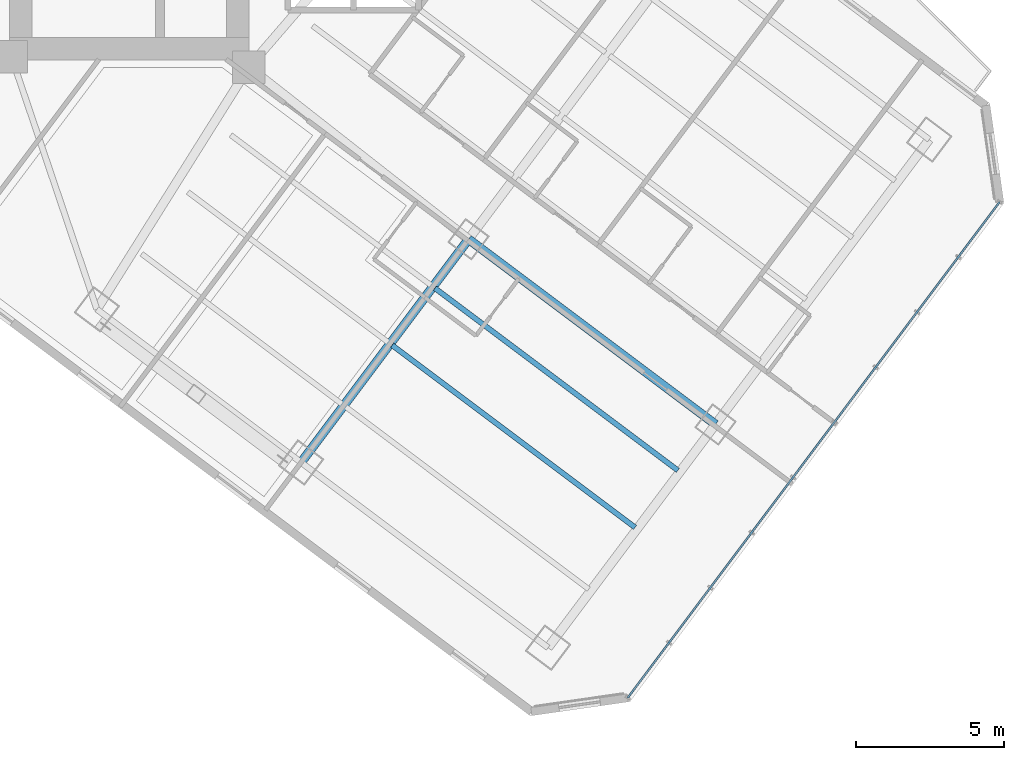
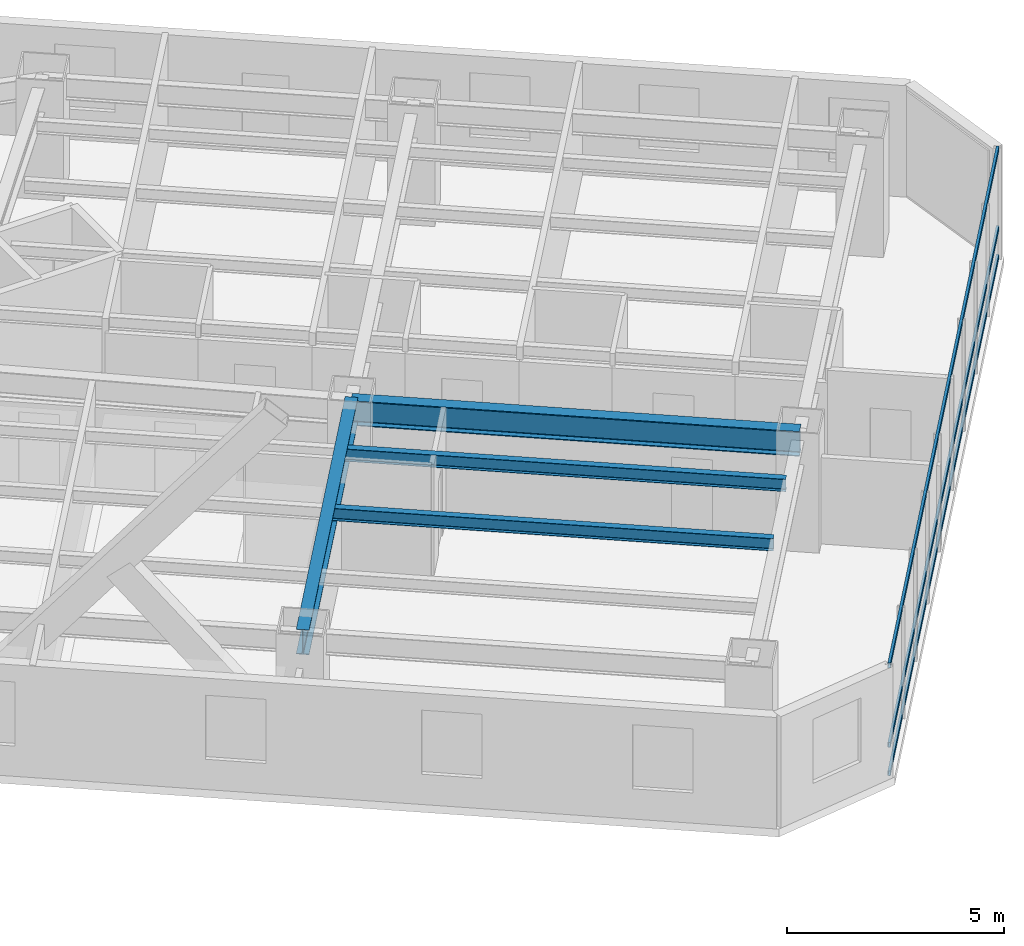
# One storey, part 9 of 33: 4 beams, 3 members, 1 element without a shape of its own.
"""IFC4 building model written with IfcOpenShell, lengths in metres."""

from ifc_helpers import new_model, si_unit, direction, frame, origin, origin_2d, place, context, subcontext, project, spatial, hollow_rectangle, i_section, extrude, material, layer, layer_set, material_profile, profile_set, type_object, element, aggregate, save


model = new_model("IFC4")

# Units and contexts
model_context = context("Model", 3, precision=1e-05, world=origin(), true_north=direction((0.0, 1.0)))
body_context = subcontext(model_context, "Body", "Model", "MODEL_VIEW")
ifc_project = project(units=[si_unit("LENGTHUNIT", "METRE"), si_unit("AREAUNIT", "SQUARE_METRE"), si_unit("VOLUMEUNIT", "CUBIC_METRE"), si_unit("PLANEANGLEUNIT", "RADIAN"), si_unit("MASSUNIT", "GRAM", prefix="KILO")], contexts=[model_context])

# Site, building, storey
site_placement = place(None, origin())
site = spatial("IfcSite", under=ifc_project, at=site_placement, CompositionType="ELEMENT")
building_placement = place(site_placement, origin())
building = spatial("IfcBuilding", under=site, at=building_placement, Name="Hatsunagi Terrace Concourse", CompositionType="ELEMENT")
storey_placement = place(building_placement, frame((0.0, 0.0, 43.300048828125)))
storey = spatial("IfcBuildingStorey", under=building, at=storey_placement, Name="L10", CompositionType="ELEMENT", Elevation=43.300048828125)

# Curtain wall, members
ifc_material_1 = material(Name="Anodised Aluminium Alloy 6063-T5", Category="aluminium")
ifc_layer = layer(ifc_material_1, 0.199951171875)
ifc_layer_set = layer_set([ifc_layer], Name="HotelFacade_CW02")
curtain_wall_type = type_object("IfcCurtainWallType", Name="HotelFacade_CW02", PredefinedType="NOTDEFINED", material=ifc_layer_set)
curtain_wall_placement = place(storey_placement, origin())
curtain_wall = element("IfcCurtainWall", 1, at=curtain_wall_placement, inside=storey, type_object=curtain_wall_type, Name="Unitised Curtain Wall CW-02 CW-L10-03", PredefinedType="NOTDEFINED")
ifc_material_2 = material(Name="Anodised Aluminium Alloy 6063-T5", Category="aluminium")
ifc_material_profile_1 = material_profile(ifc_material_2, hollow_rectangle(XDim=0.06494140625, YDim=0.139892578125, WallThickness=0.00390625, at=origin_2d()), Name="ALU-TRN-140x65x4")
ifc_profile_set_1 = profile_set([ifc_material_profile_1], Name="Anodised Aluminium Alloy 6063-T5")
member_type = type_object("IfcMemberType", Name="CurtainWallTransom_140x65", PredefinedType="USERDEFINED", material=ifc_profile_set_1)
member_1_placement = place(storey_placement, frame((69.093017578125, 19.657958984375, 0.050048828125), z_axis=(-0.599970072971, -0.800022444397, 0.0), x_axis=(0.800022444397, -0.599970072971, 0.0)))
member_1 = element("IfcMember", 2, at=member_1_placement, type_object=member_type, Name="Curtain Wall Transom TRN-02", ObjectType="TRANSOM", PredefinedType="USERDEFINED", context=body_context, shape_type="SweptSolid", body=[
    extrude(hollow_rectangle(XDim=0.06494140625, YDim=0.139892578125, WallThickness=0.00390625, at=origin_2d()), origin(), (0.0, 0.0, 1.0), 20.884521484375),
])
member_2_placement = place(storey_placement, frame((69.093017578125, 19.657958984375, 0.849853515625), z_axis=(-0.599970072971, -0.800022444397, 0.0), x_axis=(0.800022444397, -0.599970072971, 0.0)))
member_2 = element("IfcMember", 3, at=member_2_placement, type_object=member_type, Name="Curtain Wall Transom TRN-02", ObjectType="TRANSOM", PredefinedType="USERDEFINED", context=body_context, shape_type="SweptSolid", body=[
    extrude(hollow_rectangle(XDim=0.06494140625, YDim=0.139892578125, WallThickness=0.00390625, at=origin_2d()), origin(), (0.0, 0.0, 1.0), 20.884521484375),
])
member_3_placement = place(storey_placement, frame((69.093017578125, 19.657958984375, 3.079833984375), z_axis=(-0.599970072971, -0.800022444397, 0.0), x_axis=(0.800022444397, -0.599970072971, 0.0)))
member_3 = element("IfcMember", 4, at=member_3_placement, type_object=member_type, Name="Curtain Wall Transom TRN-02", ObjectType="TRANSOM", PredefinedType="USERDEFINED", context=body_context, shape_type="SweptSolid", body=[
    extrude(hollow_rectangle(XDim=0.06494140625, YDim=0.139892578125, WallThickness=0.00390625, at=origin_2d()), origin(), (0.0, 0.0, 1.0), 20.884521484375),
])
aggregate(curtain_wall, [member_1, member_2, member_3])

# Beams
ifc_material_3 = material(Name="Steel SN490B", Category="steel")
ifc_material_profile_2 = material_profile(ifc_material_3, i_section(OverallWidth=0.300048828125, OverallDepth=0.699951171875, WebThickness=0.012939453125, FlangeThickness=0.02392578125, FilletRadius=0.02197265625, at=origin_2d()), Name="H-700x300x13x24")
ifc_profile_set_2 = profile_set([ifc_material_profile_2], Name="Steel SN490B")
beam_type_1 = type_object("IfcBeamType", Name="HotelFloorGirder_H_700x300", PredefinedType="BEAM", material=ifc_profile_set_2)
beam_1_placement = place(storey_placement, frame((45.56005859375, 10.8798828125, 2.780029296875), z_axis=(0.599991688754, 0.800006233367, 0.0), x_axis=(-0.800006233367, 0.599991688754, 0.0)))
element("IfcBeam", 5, at=beam_1_placement, inside=storey, type_object=beam_type_1, Name="Beam G-04 BM-L10-SET-2A", PredefinedType="BEAM", context=body_context, shape_type="SweptSolid", body=[
    extrude(i_section(OverallWidth=0.300048828125, OverallDepth=0.699951171875, WebThickness=0.012939453125, FlangeThickness=0.02392578125, FilletRadius=0.02197265625, at=origin_2d()), origin(), (0.0, 0.0, 1.0), 9.39990234375),
])
beam_2_placement = place(storey_placement, frame((51.199951171875, 18.39990234375, 2.780029296875), z_axis=(0.800002816985, -0.599996244001, 0.0), x_axis=(0.599996244001, 0.800002816985, 0.0)))
element("IfcBeam", 6, at=beam_2_placement, inside=storey, type_object=beam_type_1, Name="Beam G-04 BM-L10-SE-M3", PredefinedType="BEAM", context=body_context, shape_type="SweptSolid", body=[
    extrude(i_section(OverallWidth=0.300048828125, OverallDepth=0.699951171875, WebThickness=0.012939453125, FlangeThickness=0.02392578125, FilletRadius=0.02197265625, at=origin_2d()), origin(), (0.0, 0.0, 1.0), 10.400146484375),
])
ifc_material_4 = material(Name="Steel SN490B", Category="steel")
ifc_material_profile_3 = material_profile(ifc_material_4, i_section(OverallWidth=0.175048828125, OverallDepth=0.35009765625, WebThickness=0.007080078125, FlangeThickness=0.010986328125, FilletRadius=0.012939453125, at=origin_2d()), Name="H-350x175x7x11")
ifc_profile_set_3 = profile_set([ifc_material_profile_3], Name="Steel SN490B")
beam_type_2 = type_object("IfcBeamType", Name="HotelJoist_H_350x175", PredefinedType="JOIST", material=ifc_profile_set_3)
beam_3_placement = place(storey_placement, frame((48.6279296875, 14.8291015625, 2.954833984375), z_axis=(0.799994272423, -0.600007636694, 0.0), x_axis=(0.600007636694, 0.799994272423, 0.0)))
element("IfcBeam", 7, at=beam_3_placement, inside=storey, type_object=beam_type_2, Name="Beam J-02 J-L10-SE-3-72", PredefinedType="JOIST", context=body_context, shape_type="SweptSolid", body=[
    extrude(i_section(OverallWidth=0.175048828125, OverallDepth=0.35009765625, WebThickness=0.007080078125, FlangeThickness=0.010986328125, FilletRadius=0.012939453125, at=origin_2d()), origin(), (0.0, 0.0, 1.0), 10.230224609375),
])
beam_4_placement = place(storey_placement, frame((50.068115234375, 16.7490234375, 2.954833984375), z_axis=(0.799997136125, -0.600003818481, 0.0), x_axis=(0.600003818481, 0.799997136125, 0.0)))
element("IfcBeam", 8, at=beam_4_placement, inside=storey, type_object=beam_type_2, Name="Beam J-02 J-L10-SE-3-96", PredefinedType="JOIST", context=body_context, shape_type="SweptSolid", body=[
    extrude(i_section(OverallWidth=0.175048828125, OverallDepth=0.35009765625, WebThickness=0.007080078125, FlangeThickness=0.010986328125, FilletRadius=0.012939453125, at=origin_2d()), origin(), (0.0, 0.0, 1.0), 10.229736328125),
])

save(model, "model.ifc")
